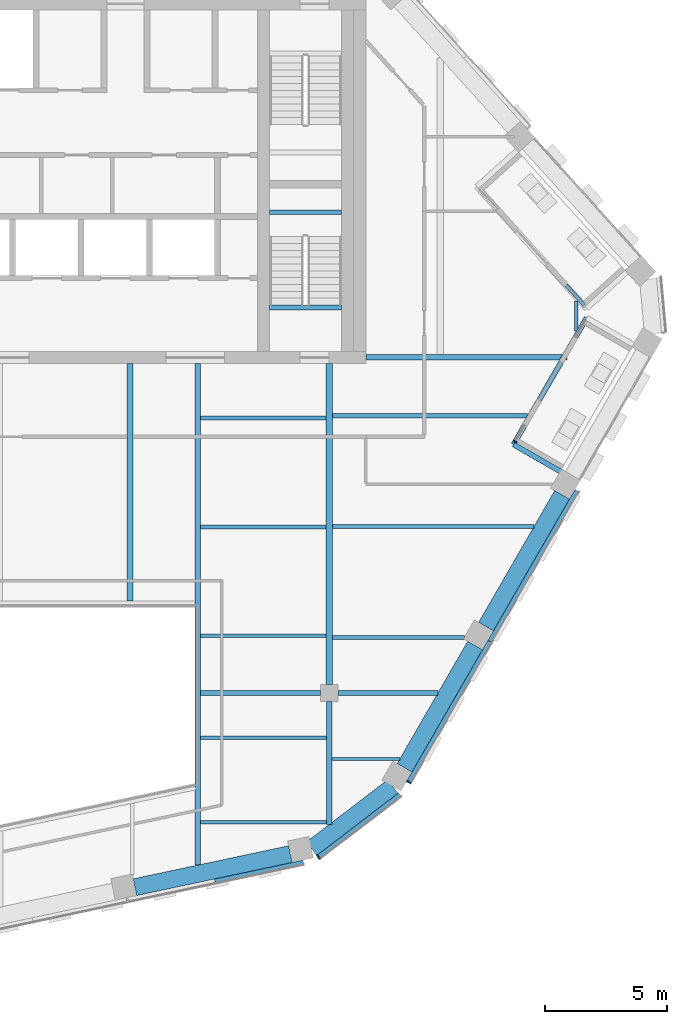
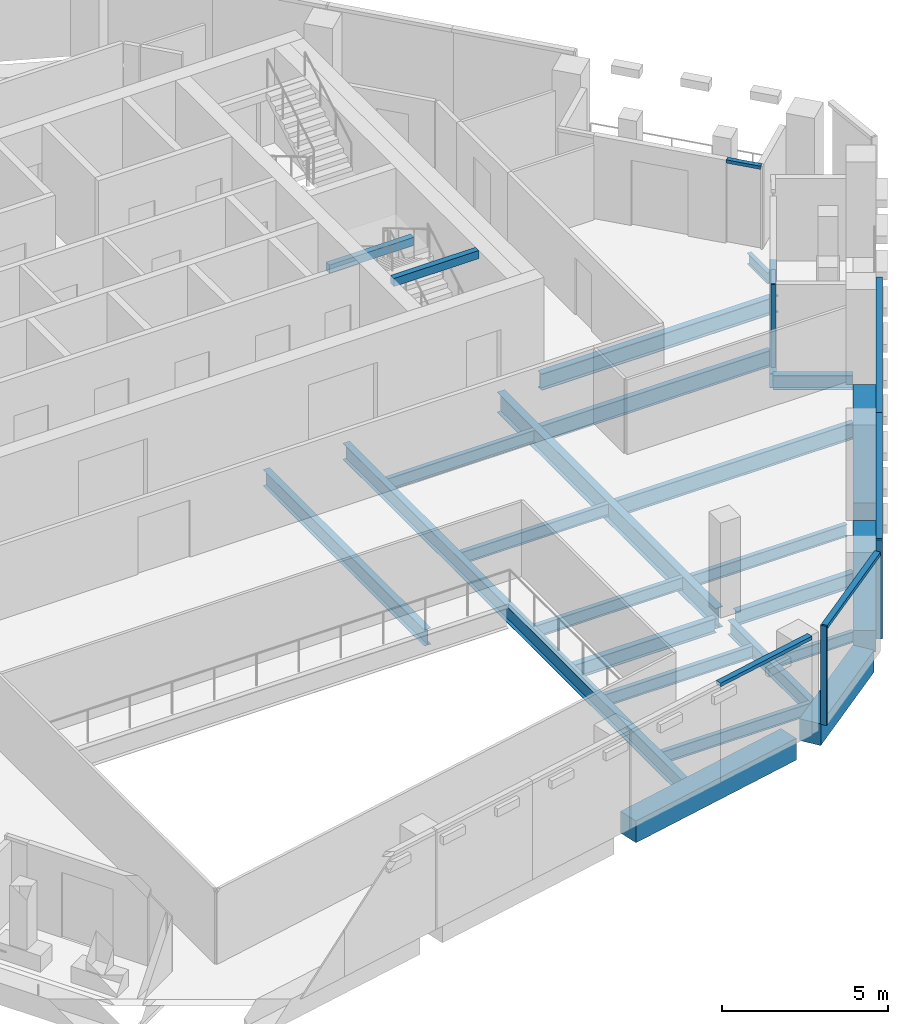
# One storey, part 5 of 22: 25 beams, 8 members, 5 elements without a shape of their own.
"""IFC4 building model written with IfcOpenShell, lengths in metres."""

import ifcopenshell
import ifcopenshell.guid

model = None  # the IFC model being written
_history = None  # IfcOwnerHistory: only IFC2X3 demands one
_inside = {}  # id of a spatial element -> (the spatial element, [elements in it])
_under = {}  # id of a project, library or spatial element -> (it, [spatial elements below it])
_declared = {}  # id of a project -> (the project, [libraries it declares])
_typed = {}  # id of a type object -> (the type object, [elements of that type])
_made_of = {}  # id of a material, layer set ... -> (it, [elements and type objects made of it])


def new_model(schema):
    """Start an empty IFC model of exactly this schema.

    Asked for "IFC4X3", IfcOpenShell would pick the latest addendum, in which some entities
    have other attributes; the version numbers below select the first issue.
    IFC2X3 requires an IfcOwnerHistory on every rooted entity: one is made here for all.
    """
    global model, _history
    if schema == "IFC4X3":
        model = ifcopenshell.file(schema_version=(4, 3, 0, 0))
    else:
        model = ifcopenshell.file(schema=schema)
    _inside.clear()
    _under.clear()
    _declared.clear()
    _typed.clear()
    _made_of.clear()
    _history = None
    if model.schema == "IFC2X3":
        org = make("IfcOrganization", Name="unknown")
        user = make(
            "IfcPersonAndOrganization",
            ThePerson=make("IfcPerson", FamilyName="unknown"),
            TheOrganization=org,
        )
        app = make(
            "IfcApplication",
            ApplicationDeveloper=org,
            Version="unknown",
            ApplicationFullName="unknown",
            ApplicationIdentifier="unknown",
        )
        _history = make(
            "IfcOwnerHistory",
            OwningUser=user,
            OwningApplication=app,
            ChangeAction="ADDED",
            CreationDate=0,
        )
    return model


def make(cls, **values):
    """One entity of the class cls with the attributes given. An attribute that is None is left unset."""
    return model.create_entity(
        cls, **{name: value for name, value in values.items() if value is not None}
    )


def rooted(cls, **values):
    """An entity with a GlobalId (a new one), such as an element, a storey or a relation."""
    return make(cls, GlobalId=ifcopenshell.guid.new(), OwnerHistory=_history, **values)


def si_unit(unit_type, name, prefix=None):
    """IfcSIUnit, for example si_unit("LENGTHUNIT", "METRE", prefix="MILLI")."""
    return make("IfcSIUnit", UnitType=unit_type, Prefix=prefix, Name=name)


def assignment(units):
    """IfcUnitAssignment: the units of a project."""
    return None if units is None else make("IfcUnitAssignment", Units=units)


def point(xyz):
    """IfcCartesianPoint."""
    return None if xyz is None else make("IfcCartesianPoint", Coordinates=xyz)


def direction(xyz):
    """IfcDirection."""
    return None if xyz is None else make("IfcDirection", DirectionRatios=xyz)


def frame(location, z_axis=None, x_axis=None):
    """IfcAxis2Placement3D, a coordinate frame: its origin and axes. An axis left out is left unset."""
    return make(
        "IfcAxis2Placement3D",
        Location=point(location),
        Axis=direction(z_axis),
        RefDirection=direction(x_axis),
    )


def frame_2d(location, x_axis=None):
    """IfcAxis2Placement2D, a coordinate frame in the plane: its origin and x axis."""
    return make(
        "IfcAxis2Placement2D", Location=point(location), RefDirection=direction(x_axis)
    )


def origin():
    """The frame at (0, 0, 0) with its axes left unset."""
    return frame((0.0, 0.0, 0.0))


def origin_2d():
    """The frame at (0, 0) in the plane with its x axis left unset."""
    return frame_2d((0.0, 0.0))


def place(relative_to, where):
    """IfcLocalPlacement: puts the frame where relative to a parent placement (None: the world)."""
    return make(
        "IfcLocalPlacement", PlacementRelTo=relative_to, RelativePlacement=where
    )


def context(
    kind, dimensions, precision=None, world=None, true_north=None, identifier=None
):
    """IfcGeometricRepresentationContext, for example the 3D "Model" context."""
    return make(
        "IfcGeometricRepresentationContext",
        ContextIdentifier=identifier,
        ContextType=kind,
        CoordinateSpaceDimension=dimensions,
        Precision=precision,
        WorldCoordinateSystem=world,
        TrueNorth=true_north,
    )


def subcontext(parent, identifier, kind, view, scale=None):
    """IfcGeometricRepresentationSubContext, for example "Body" below "Model"."""
    return make(
        "IfcGeometricRepresentationSubContext",
        ContextIdentifier=identifier,
        ContextType=kind,
        ParentContext=parent,
        TargetScale=scale,
        TargetView=view,
    )


def project(units=None, contexts=None):
    """IfcProject with its units and contexts."""
    return rooted(
        "IfcProject",
        Name="project",
        RepresentationContexts=contexts,
        UnitsInContext=assignment(units),
    )


def spatial(cls, under=None, at=None, **own):
    """A site, building, storey or space (cls), placed at a placement, below another one or the project."""
    s = rooted(cls, ObjectPlacement=at, **own)
    if under is not None:
        _under.setdefault(under.id(), (under, []))[1].append(s)
    return s


def profile(cls, at=None, kind="AREA", **sizes):
    """A parametric profile (cls). Its sizes go by their IFC names, for example OverallWidth=200.0."""
    return make(cls, ProfileType=kind, Position=at, **sizes)


def rectangle(**sizes):
    """IfcRectangleProfileDef."""
    return profile("IfcRectangleProfileDef", **sizes)


def i_section(**sizes):
    """IfcIShapeProfileDef."""
    return profile("IfcIShapeProfileDef", **sizes)


def extrude(swept, where, along, depth):
    """IfcExtrudedAreaSolid: the profile swept, set in the frame where, extruded along a direction by depth."""
    return make(
        "IfcExtrudedAreaSolid",
        SweptArea=swept,
        Position=where,
        ExtrudedDirection=direction(along),
        Depth=depth,
    )


def shape(context_of_items, identifier, shape_type, items):
    """IfcShapeRepresentation: the items that make up one representation, for example the "Body"."""
    return make(
        "IfcShapeRepresentation",
        ContextOfItems=context_of_items,
        RepresentationIdentifier=identifier,
        RepresentationType=shape_type,
        Items=items,
    )


def material(Name=None, Category=None):
    """IfcMaterial."""
    return make("IfcMaterial", Name=Name, Category=Category)


def layer(
    of_material, thickness, ventilated=None, Name=None, Category=None, Priority=None
):
    """IfcMaterialLayer: one layer of a wall or slab, of a material (None: an air gap)."""
    return make(
        "IfcMaterialLayer",
        Material=of_material,
        LayerThickness=thickness,
        IsVentilated=ventilated,
        Name=Name,
        Category=Category,
        Priority=Priority,
    )


def layer_set(layers, Name=None):
    """IfcMaterialLayerSet."""
    return make("IfcMaterialLayerSet", MaterialLayers=layers, LayerSetName=Name)


def material_profile(
    of_material, cross_section, Name=None, Category=None, Priority=None
):
    """IfcMaterialProfile: a cross section and its material."""
    return make(
        "IfcMaterialProfile",
        Name=Name,
        Material=of_material,
        Profile=cross_section,
        Priority=Priority,
        Category=Category,
    )


def profile_set(profiles, Name=None, composite=None):
    """IfcMaterialProfileSet."""
    return make(
        "IfcMaterialProfileSet",
        Name=Name,
        MaterialProfiles=profiles,
        CompositeProfile=composite,
    )


def made_of(thing, what):
    """Note that an element or type object is made of a material, layer set ...; save() writes the relation."""
    if what is not None:
        _made_of.setdefault(what.id(), (what, []))[1].append(thing)
    return thing


def type_object(cls, material=None, **own):
    """A type object (cls), such as IfcWallType, which elements share."""
    return made_of(rooted(cls, **own), material)


def element(
    cls,
    number,
    at=None,
    inside=None,
    cuts=None,
    type_object=None,
    material=None,
    context=None,
    identifier="Body",
    shape_type=None,
    held_by="IfcProductDefinitionShape",
    body=None,
    shapes=None,
    **own,
):
    """One element of the class cls, such as IfcWall. Its Tag is "e" and its number.

    at: its placement. inside: the storey or other place that contains it. cuts: it is an
    opening in that element (IfcRelVoidsElement). A single representation is given by context,
    identifier, shape_type and body (its items); several are given by shapes. held_by: the class
    of the entity that holds the representations. save() writes the other relations.
    """
    e = rooted(cls, Tag="e%d" % number, ObjectPlacement=at, **own)
    if body is not None:
        shapes = [shape(context, identifier, shape_type, body)]
    if shapes is not None:
        e.Representation = make(held_by, Representations=shapes)
    if inside is not None:
        _inside.setdefault(inside.id(), (inside, []))[1].append(e)
    if cuts is not None:
        rooted(
            "IfcRelVoidsElement", RelatingBuildingElement=cuts, RelatedOpeningElement=e
        )
    if type_object is not None:
        _typed.setdefault(type_object.id(), (type_object, []))[1].append(e)
    return made_of(e, material)


def aggregate(whole, parts):
    """IfcRelAggregates: a whole, such as a stair, and the parts it consists of."""
    return rooted("IfcRelAggregates", RelatingObject=whole, RelatedObjects=parts)


def save(model, path):
    """Write the relations noted so far, then the file.

    IfcRelAggregates (storeys below a building ...), IfcRelContainedInSpatialStructure (elements
    in a storey), IfcRelDefinesByType, IfcRelAssociatesMaterial and IfcRelDeclares: one each for
    every whole, place, type object, material and project.
    """
    for whole, parts in _under.values():
        aggregate(whole, parts)
    for where, things in _inside.values():
        rooted(
            "IfcRelContainedInSpatialStructure",
            RelatedElements=things,
            RelatingStructure=where,
        )
    for kind, things in _typed.values():
        rooted("IfcRelDefinesByType", RelatedObjects=things, RelatingType=kind)
    for what, things in _made_of.values():
        rooted("IfcRelAssociatesMaterial", RelatedObjects=things, RelatingMaterial=what)
    for by, libraries in _declared.values():
        rooted("IfcRelDeclares", RelatingContext=by, RelatedDefinitions=libraries)
    model.write(path)


model = new_model("IFC4")

# Units and contexts
model_context = context("Model", 3, precision=1e-05, world=origin(), true_north=direction((0.0, 1.0)))
body_context = subcontext(model_context, "Body", "Model", "MODEL_VIEW")
ifc_project = project(units=[si_unit("LENGTHUNIT", "METRE"), si_unit("AREAUNIT", "SQUARE_METRE"), si_unit("VOLUMEUNIT", "CUBIC_METRE"), si_unit("PLANEANGLEUNIT", "RADIAN"), si_unit("MASSUNIT", "GRAM", prefix="KILO")], contexts=[model_context])

# Site, building, storey
site_placement = place(None, origin())
site = spatial("IfcSite", under=ifc_project, at=site_placement, CompositionType="ELEMENT")
building_placement = place(site_placement, origin())
building = spatial("IfcBuilding", under=site, at=building_placement, Name="Isthmus Gate Tower", CompositionType="ELEMENT")
storey_placement = place(building_placement, frame((0.0, 0.0, 264.60009765625)))
storey = spatial("IfcBuildingStorey", under=building, at=storey_placement, Name="L67", CompositionType="ELEMENT", Elevation=264.60009765625)

# Curtain wall, member
ifc_material_1 = material(Name="Aluminium, pale champagne anodised", Category="aluminium")
ifc_layer_1 = layer(ifc_material_1, 0.199951171875)
ifc_layer_set_1 = layer_set([ifc_layer_1], Name="CW-1 UNITISED CURTAIN WALL 200 DEEP")
curtain_wall_type_1 = type_object("IfcCurtainWallType", Name="CW-1 UNITISED CURTAIN WALL 200 DEEP", PredefinedType="NOTDEFINED", material=ifc_layer_set_1)
curtain_wall_1_placement = place(storey_placement, origin())
curtain_wall_1 = element("IfcCurtainWall", 1, at=curtain_wall_1_placement, inside=storey, type_object=curtain_wall_type_1, Name="CW-1 S-SE L67", PredefinedType="NOTDEFINED")
ifc_material_2 = material(Name="Aluminium, pale champagne anodised", Category="aluminium")
ifc_material_profile_1 = material_profile(ifc_material_2, rectangle(XDim=0.06005859375, YDim=0.199951171875, at=origin_2d()), Name="60x200")
ifc_profile_set_1 = profile_set([ifc_material_profile_1], Name="Aluminium, pale champagne anodised")
member_type_1 = type_object("IfcMemberType", Name="CW-1 MULLION 60 X 200", PredefinedType="MULLION", material=ifc_profile_set_1)
member_1_placement = place(storey_placement, frame((13.055908203125, -20.241455078125, 0.0), z_axis=(0.0, 0.0, 1.0), x_axis=(0.794188594387, 0.607671355706, 0.0)))
member_1 = element("IfcMember", 2, at=member_1_placement, type_object=member_type_1, Name="CW-1 mullion", PredefinedType="MULLION", context=body_context, shape_type="SweptSolid", body=[
    extrude(rectangle(XDim=0.06005859375, YDim=0.199951171875, at=origin_2d()), origin(), (0.0, 0.0, 1.0), 3.64990234375),
])

curtain_wall_2_placement = place(storey_placement, origin())
curtain_wall_2 = element("IfcCurtainWall", 3, at=curtain_wall_2_placement, inside=storey, type_object=curtain_wall_type_1, Name="CW-1 SE L67", PredefinedType="NOTDEFINED")
member_2_placement = place(storey_placement, frame((16.765380859375, -17.161376953125, 0.0), z_axis=(0.0, 0.0, 1.0), x_axis=(0.5, 0.866025403784, 0.0)))
member_2 = element("IfcMember", 4, at=member_2_placement, type_object=member_type_1, Name="CW-1 mullion", PredefinedType="MULLION", context=body_context, shape_type="SweptSolid", body=[
    extrude(rectangle(XDim=0.06005859375, YDim=0.199951171875, at=origin_2d()), origin(), (0.0, 0.0, 1.0), 3.64990234375),
])

curtain_wall_3_placement = place(storey_placement, origin())
curtain_wall_3 = element("IfcCurtainWall", 5, at=curtain_wall_3_placement, inside=storey, type_object=curtain_wall_type_1, Name="CW-1 S L67", PredefinedType="NOTDEFINED")
ifc_material_3 = material(Name="Aluminium, pale champagne anodised", Category="aluminium")
ifc_material_profile_2 = material_profile(ifc_material_3, rectangle(XDim=0.199951171875, YDim=0.1298828125, at=origin_2d()), Name="200x130")
ifc_profile_set_2 = profile_set([ifc_material_profile_2], Name="Aluminium, pale champagne anodised")
member_type_2 = type_object("IfcMemberType", Name="CW-1 TRANSOM 200 X 130", PredefinedType="USERDEFINED", material=ifc_profile_set_2)
member_3_placement = place(storey_placement, frame((8.816162109375, -21.228271484375, 3.5849609375), z_axis=(0.978146451283, 0.207917098487, 0.0), x_axis=(-0.207917098487, 0.978146451283, 0.0)))
member_3 = element("IfcMember", 6, at=member_3_placement, type_object=member_type_2, Name="CW-1 transom", ObjectType="TRANSOM", PredefinedType="USERDEFINED", context=body_context, shape_type="SweptSolid", body=[
    extrude(rectangle(XDim=0.199951171875, YDim=0.1298828125, at=origin_2d()), origin(), (0.0, 0.0, 1.0), 3.70361328125),
])
aggregate(curtain_wall_3, [member_3])

# Member
member_4_placement = place(storey_placement, frame((13.07958984375, -20.22314453125, 3.5849609375), z_axis=(0.794225234414, 0.607623466482, 0.0), x_axis=(-0.607623466482, 0.794225234414, 0.0)))
member_4 = element("IfcMember", 7, at=member_4_placement, type_object=member_type_2, Name="CW-1 transom", ObjectType="TRANSOM", PredefinedType="USERDEFINED", context=body_context, shape_type="SweptSolid", body=[
    extrude(rectangle(XDim=0.199951171875, YDim=0.1298828125, at=origin_2d()), origin(), (0.0, 0.0, 1.0), 4.181396484375),
])

aggregate(curtain_wall_1, [member_1, member_4])

member_5_placement = place(storey_placement, frame((16.780517578125, -17.135498046875, 3.5849609375), z_axis=(0.49999574405, 0.866027860944, 0.0), x_axis=(-0.866027860944, 0.49999574405, 0.0)))
member_5 = element("IfcMember", 8, at=member_5_placement, type_object=member_type_2, Name="CW-1 transom", ObjectType="TRANSOM", PredefinedType="USERDEFINED", context=body_context, shape_type="SweptSolid", body=[
    extrude(rectangle(XDim=0.199951171875, YDim=0.1298828125, at=origin_2d()), origin(), (0.0, 0.0, 1.0), 6.62451171875),
])

member_6_placement = place(storey_placement, frame((20.0927734375, -11.3984375, 3.5849609375), z_axis=(0.499985098601, 0.86603400694, 0.0), x_axis=(-0.86603400694, 0.499985098601, 0.0)))
member_6 = element("IfcMember", 9, at=member_6_placement, type_object=member_type_2, Name="CW-1 transom", ObjectType="TRANSOM", PredefinedType="USERDEFINED", context=body_context, shape_type="SweptSolid", body=[
    extrude(rectangle(XDim=0.199951171875, YDim=0.1298828125, at=origin_2d()), origin(), (0.0, 0.0, 1.0), 7.134521484375),
])

aggregate(curtain_wall_2, [member_2, member_5, member_6])

# Curtain wall, member
ifc_material_4 = material(Name="Aluminium, pale champagne anodised", Category="aluminium")
ifc_layer_2 = layer(ifc_material_4, 0.14990234375)
ifc_layer_set_2 = layer_set([ifc_layer_2], Name="CW-6 LOGGIA BACK WALL GLAZING 150 DEEP")
curtain_wall_type_2 = type_object("IfcCurtainWallType", Name="CW-6 LOGGIA BACK WALL GLAZING 150 DEEP", PredefinedType="NOTDEFINED", material=ifc_layer_set_2)
curtain_wall_4_placement = place(storey_placement, origin())
curtain_wall_4 = element("IfcCurtainWall", 10, at=curtain_wall_4_placement, inside=storey, type_object=curtain_wall_type_2, Name="CW-6 SE L67", PredefinedType="NOTDEFINED")
ifc_material_5 = material(Name="Aluminium, pale champagne anodised", Category="aluminium")
ifc_material_profile_3 = material_profile(ifc_material_5, rectangle(XDim=0.06005859375, YDim=0.14990234375, at=origin_2d()), Name="60x150")
ifc_profile_set_3 = profile_set([ifc_material_profile_3], Name="Aluminium, pale champagne anodised")
member_type_3 = type_object("IfcMemberType", Name="CW-6 MULLION 60 X 150", PredefinedType="MULLION", material=ifc_profile_set_3)
member_7_placement = place(storey_placement, frame((21.128662109375, -3.2041015625, 0.0), z_axis=(0.0, 0.0, 1.0), x_axis=(0.5, 0.866025403784, 0.0)))
member_7 = element("IfcMember", 11, at=member_7_placement, type_object=member_type_3, Name="CW-6 mullion", PredefinedType="MULLION", context=body_context, shape_type="SweptSolid", body=[
    extrude(rectangle(XDim=0.06005859375, YDim=0.14990234375, at=origin_2d()), origin(), (0.0, 0.0, 1.0), 3.0498046875),
])
aggregate(curtain_wall_4, [member_7])

curtain_wall_5_placement = place(storey_placement, origin())
curtain_wall_5 = element("IfcCurtainWall", 12, at=curtain_wall_5_placement, inside=storey, type_object=curtain_wall_type_2, Name="CW-6 NE L67", PredefinedType="NOTDEFINED")
ifc_material_6 = material(Name="Aluminium, pale champagne anodised", Category="aluminium")
ifc_material_profile_4 = material_profile(ifc_material_6, rectangle(XDim=0.14990234375, YDim=0.1201171875, at=origin_2d()), Name="150x120")
ifc_profile_set_4 = profile_set([ifc_material_profile_4], Name="Aluminium, pale champagne anodised")
member_type_4 = type_object("IfcMemberType", Name="CW-6 TRANSOM 150 X 120", PredefinedType="USERDEFINED", material=ifc_profile_set_4)
member_8_placement = place(storey_placement, frame((23.9482421875, 2.3916015625, 2.989990234375), z_axis=(-0.6690757317, 0.743194231174, 0.0), x_axis=(-0.743194231174, -0.6690757317, 0.0)))
member_8 = element("IfcMember", 13, at=member_8_placement, type_object=member_type_4, Name="CW-6 transom", ObjectType="TRANSOM", PredefinedType="USERDEFINED", context=body_context, shape_type="SweptSolid", body=[
    extrude(rectangle(XDim=0.14990234375, YDim=0.1201171875, at=origin_2d()), origin(), (0.0, 0.0, 1.0), 1.093505859375),
])
aggregate(curtain_wall_5, [member_8])

# Beams
ifc_material_7 = material(Name="Concrete f'c 50 MPa", Category="concrete")
ifc_material_profile_5 = material_profile(ifc_material_7, rectangle(XDim=0.699951171875, YDim=0.800048828125, at=origin_2d()), Name="RC 700X800")
ifc_profile_set_5 = profile_set([ifc_material_profile_5], Name="Concrete f'c 50 MPa")
beam_type_1 = type_object("IfcBeamType", Name="RC SPANDREL 700 X 800", PredefinedType="SPANDREL", material=ifc_profile_set_5)
beam_1_placement = place(storey_placement, frame((23.045166015625, -5.384521484375, -0.400146484375), z_axis=(-0.499997027648, -0.866027119866, 0.0), x_axis=(0.866027119866, -0.499997027648, 0.0)))
element("IfcBeam", 14, at=beam_1_placement, inside=storey, type_object=beam_type_1, Name="str-spandrel-L67-06", PredefinedType="SPANDREL", context=body_context, shape_type="SweptSolid", body=[
    extrude(rectangle(XDim=0.699951171875, YDim=0.800048828125, at=origin_2d()), origin(), (0.0, 0.0, 1.0), 6.234375),
])
beam_2_placement = place(storey_placement, frame((19.47802734375, -11.56298828125, -0.400146484375), z_axis=(-0.499992798144, -0.866029561738, 0.0), x_axis=(0.866029561738, -0.499992798144, 0.0)))
element("IfcBeam", 15, at=beam_2_placement, inside=storey, type_object=beam_type_1, Name="str-spandrel-L67-07", PredefinedType="SPANDREL", context=body_context, shape_type="SweptSolid", body=[
    extrude(rectangle(XDim=0.699951171875, YDim=0.800048828125, at=origin_2d()), origin(), (0.0, 0.0, 1.0), 5.78466796875),
])
beam_3_placement = place(storey_placement, frame((16.110595703125, -17.337646484375, -0.400146484375), z_axis=(-0.794204252251, -0.607650891307, 0.0), x_axis=(0.607650891307, -0.794204252251, 0.0)))
element("IfcBeam", 16, at=beam_3_placement, inside=storey, type_object=beam_type_1, Name="str-spandrel-L67-08", PredefinedType="SPANDREL", context=body_context, shape_type="SweptSolid", body=[
    extrude(rectangle(XDim=0.699951171875, YDim=0.800048828125, at=origin_2d()), origin(), (0.0, 0.0, 1.0), 4.197021484375),
])
beam_4_placement = place(storey_placement, frame((11.90478515625, -20.11181640625, -0.400146484375), z_axis=(-0.978148646173, -0.207906772352, 0.0), x_axis=(0.207906772352, -0.978148646173, 0.0)))
element("IfcBeam", 17, at=beam_4_placement, inside=storey, type_object=beam_type_1, Name="str-spandrel-L67-09", PredefinedType="SPANDREL", context=body_context, shape_type="SweptSolid", body=[
    extrude(rectangle(XDim=0.699951171875, YDim=0.800048828125, at=origin_2d()), origin(), (0.0, 0.0, 1.0), 6.506591796875),
])
ifc_material_8 = material(Name="Concrete f'c 40 MPa", Category="concrete")
ifc_material_profile_6 = material_profile(ifc_material_8, rectangle(XDim=0.199951171875, YDim=0.300048828125, at=origin_2d()), Name="STAIR LANDING BEAM RC 200 X 300")
ifc_profile_set_6 = profile_set([ifc_material_profile_6], Name="Concrete f'c 40 MPa")
beam_type_2 = type_object("IfcBeamType", Name="STAIR LANDING BEAM RC 200 X 300", PredefinedType="BEAM", material=ifc_profile_set_6)
for number, where, z_axis, x_axis, name in (
    (18, (11.050048828125, 6.199951171875, 1.474853515625), (1.0, 0.0, 0.0), (0.0, 1.0, 0.0), "L67 ST8 landing beam 1"),
    (19, (11.050048828125, 2.2998046875, 3.349853515625), (1.0, 0.0, 0.0), (0.0, 1.0, 0.0), "L67 ST8 floor-edge seat beam"),
):
    element("IfcBeam", number, at=place(storey_placement, frame(where, z_axis=z_axis, x_axis=x_axis)), inside=storey, type_object=beam_type_2, Name=name, PredefinedType="BEAM", context=body_context, shape_type="SweptSolid", body=[
        extrude(rectangle(XDim=0.199951171875, YDim=0.300048828125, at=origin_2d()), origin(), (0.0, 0.0, 1.0), 2.949951171875),
    ])
ifc_material_9 = material(Name="Structural steel ASTM A992 Gr 50", Category="steel")
ifc_material_profile_7 = material_profile(ifc_material_9, i_section(OverallWidth=0.1396484375, OverallDepth=0.4033203125, WebThickness=0.00634765625, FlangeThickness=0.010986328125, at=origin_2d()), Name="W16X31")
ifc_profile_set_7 = profile_set([ifc_material_profile_7], Name="Structural steel ASTM A992 Gr 50")
beam_type_3 = type_object("IfcBeamType", Name="STEEL FLOOR BEAM W16X31", PredefinedType="JOIST", material=ifc_profile_set_7)
beam_5_placement = place(storey_placement, frame((23.61865234375, 1.32763671875, -0.351806640625), z_axis=(0.0, 1.0, 0.0), x_axis=(-1.0, 0.0, 0.0)))
element("IfcBeam", 20, at=beam_5_placement, inside=storey, type_object=beam_type_3, Name="str-beam-L67-11-07", PredefinedType="JOIST", context=body_context, shape_type="SweptSolid", body=[
    extrude(i_section(OverallWidth=0.1396484375, OverallDepth=0.4033203125, WebThickness=0.00634765625, FlangeThickness=0.010986328125, at=origin_2d()), origin(), (0.0, 0.0, 1.0), 1.238037109375),
])
beam_6_placement = place(storey_placement, frame((13.604736328125, -16.20947265625, -0.351806640625), z_axis=(1.0, 0.0, 0.0), x_axis=(0.0, 1.0, 0.0)))
element("IfcBeam", 21, at=beam_6_placement, inside=storey, type_object=beam_type_3, Name="str-beam-L67-15-00", PredefinedType="JOIST", context=body_context, shape_type="SweptSolid", body=[
    extrude(i_section(OverallWidth=0.1396484375, OverallDepth=0.4033203125, WebThickness=0.00634765625, FlangeThickness=0.010986328125, at=origin_2d()), origin(), (0.0, 0.0, 1.0), 2.78662109375),
])
ifc_material_10 = material(Name="Structural steel ASTM A992 Gr 50", Category="steel")
ifc_material_profile_8 = material_profile(ifc_material_10, i_section(OverallWidth=0.15234375, OverallDepth=0.45068359375, WebThickness=0.0078125, FlangeThickness=0.010986328125, at=origin_2d()), Name="W18X35")
ifc_profile_set_8 = profile_set([ifc_material_profile_8], Name="Structural steel ASTM A992 Gr 50")
beam_type_4 = type_object("IfcBeamType", Name="STEEL FLOOR BEAM W18X35", PredefinedType="JOIST", material=ifc_profile_set_8)
for number, where, z_axis, x_axis, name in (
    (22, (8.228515625, -18.802734375, -0.37548828125), (1.0, 0.0, 0.0), (0.0, 1.0, 0.0), "str-beam-L67-13-00"),
    (23, (8.228515625, -15.33740234375, -0.37548828125), (1.0, 0.0, 0.0), (0.0, 1.0, 0.0), "str-beam-L67-13-01"),
):
    element("IfcBeam", number, at=place(storey_placement, frame(where, z_axis=z_axis, x_axis=x_axis)), inside=storey, type_object=beam_type_4, Name=name, PredefinedType="JOIST", context=body_context, shape_type="SweptSolid", body=[
        extrude(i_section(OverallWidth=0.15234375, OverallDepth=0.45068359375, WebThickness=0.0078125, FlangeThickness=0.010986328125, at=origin_2d()), origin(), (0.0, 0.0, 1.0), 5.166748046875),
    ])
for number, where, z_axis, x_axis, name in (
    (24, (8.228515625, -11.16259765625, -0.37548828125), (1.0, 0.0, 0.0), (0.0, 1.0, 0.0), "str-beam-L67-14-00"),
    (25, (8.228515625, -6.697509765625, -0.37548828125), (1.0, 0.0, 0.0), (0.0, 1.0, 0.0), "str-beam-L67-14-01"),
    (26, (8.228515625, -2.232421875, -0.37548828125), (1.0, 0.0, 0.0), (0.0, 1.0, 0.0), "str-beam-L67-14-02"),
):
    element("IfcBeam", number, at=place(storey_placement, frame(where, z_axis=z_axis, x_axis=x_axis)), inside=storey, type_object=beam_type_4, Name=name, PredefinedType="JOIST", context=body_context, shape_type="SweptSolid", body=[
        extrude(i_section(OverallWidth=0.15234375, OverallDepth=0.45068359375, WebThickness=0.0078125, FlangeThickness=0.010986328125, at=origin_2d()), origin(), (0.0, 0.0, 1.0), 5.1396484375),
    ])
beam_7_placement = place(storey_placement, frame((13.6318359375, -11.227294921875, -0.37548828125), z_axis=(1.0, 0.0, 0.0), x_axis=(0.0, 1.0, 0.0)))
element("IfcBeam", 27, at=beam_7_placement, inside=storey, type_object=beam_type_4, Name="str-beam-L67-16-00", PredefinedType="JOIST", context=body_context, shape_type="SweptSolid", body=[
    extrude(i_section(OverallWidth=0.15234375, OverallDepth=0.45068359375, WebThickness=0.0078125, FlangeThickness=0.010986328125, at=origin_2d()), origin(), (0.0, 0.0, 1.0), 5.405029296875),
])
ifc_material_11 = material(Name="Structural steel ASTM A992 Gr 50", Category="steel")
ifc_material_profile_9 = material_profile(ifc_material_11, i_section(OverallWidth=0.177734375, OverallDepth=0.60009765625, WebThickness=0.009521484375, FlangeThickness=0.0126953125, at=origin_2d()), Name="W24X55")
ifc_profile_set_9 = profile_set([ifc_material_profile_9], Name="Structural steel ASTM A992 Gr 50")
beam_type_5 = type_object("IfcBeamType", Name="STEEL FLOOR BEAM W24X55", PredefinedType="JOIST", material=ifc_profile_set_9)
beam_8_placement = place(storey_placement, frame((13.6318359375, -6.68212890625, -0.4501953125), z_axis=(1.0, 0.0, 0.0), x_axis=(0.0, 1.0, 0.0)))
element("IfcBeam", 28, at=beam_8_placement, inside=storey, type_object=beam_type_5, Name="str-beam-L67-16-01", PredefinedType="JOIST", context=body_context, shape_type="SweptSolid", body=[
    extrude(i_section(OverallWidth=0.177734375, OverallDepth=0.60009765625, WebThickness=0.009521484375, FlangeThickness=0.0126953125, at=origin_2d()), origin(), (0.0, 0.0, 1.0), 8.260009765625),
])
beam_9_placement = place(storey_placement, frame((13.6318359375, -2.136962890625, -0.4501953125), z_axis=(1.0, 0.0, 0.0), x_axis=(0.0, 1.0, 0.0)))
element("IfcBeam", 29, at=beam_9_placement, inside=storey, type_object=beam_type_5, Name="str-beam-L67-16-02", PredefinedType="JOIST", context=body_context, shape_type="SweptSolid", body=[
    extrude(i_section(OverallWidth=0.177734375, OverallDepth=0.60009765625, WebThickness=0.009521484375, FlangeThickness=0.0126953125, at=origin_2d()), origin(), (0.0, 0.0, 1.0), 7.986572265625),
])
ifc_material_12 = material(Name="Structural steel ASTM A992 Gr 50", Category="steel")
ifc_material_profile_10 = material_profile(ifc_material_12, i_section(OverallWidth=0.228515625, OverallDepth=0.603271484375, WebThickness=0.010986328125, FlangeThickness=0.014404296875, at=origin_2d()), Name="W24X68")
ifc_profile_set_10 = profile_set([ifc_material_profile_10], Name="Structural steel ASTM A992 Gr 50")
beam_type_6 = type_object("IfcBeamType", Name="STEEL FLOOR BEAM W24X68", PredefinedType="JOIST", material=ifc_profile_set_10)
beam_10_placement = place(storey_placement, frame((5.333251953125, -9.7333984375, -0.45166015625), z_axis=(0.0, 1.0, 0.0), x_axis=(-1.0, 0.0, 0.0)))
element("IfcBeam", 30, at=beam_10_placement, inside=storey, type_object=beam_type_6, Name="str-beam-L67-08-02", PredefinedType="JOIST", context=body_context, shape_type="SweptSolid", body=[
    extrude(i_section(OverallWidth=0.228515625, OverallDepth=0.603271484375, WebThickness=0.010986328125, FlangeThickness=0.014404296875, at=origin_2d()), origin(), (0.0, 0.0, 1.0), 9.7333984375),
])
ifc_material_13 = material(Name="Structural steel ASTM A992 Gr 50", Category="steel")
ifc_material_profile_11 = material_profile(ifc_material_13, i_section(OverallWidth=0.20947265625, OverallDepth=0.533447265625, WebThickness=0.009521484375, FlangeThickness=0.015869140625, at=origin_2d()), Name="W21X62")
ifc_profile_set_11 = profile_set([ifc_material_profile_11], Name="Structural steel ASTM A992 Gr 50")
beam_type_7 = type_object("IfcBeamType", Name="STEEL GIRDER W21X62", PredefinedType="BEAM", material=ifc_profile_set_11)
beam_11_placement = place(storey_placement, frame((8.228515625, -13.5, -0.416748046875), z_axis=(1.0, 0.0, 0.0), x_axis=(0.0, 1.0, 0.0)))
element("IfcBeam", 31, at=beam_11_placement, inside=storey, type_object=beam_type_7, Name="str-girder-L67-03", PredefinedType="BEAM", context=body_context, shape_type="SweptSolid", body=[
    extrude(i_section(OverallWidth=0.20947265625, OverallDepth=0.533447265625, WebThickness=0.009521484375, FlangeThickness=0.015869140625, at=origin_2d()), origin(), (0.0, 0.0, 1.0), 4.92138671875),
])
beam_12_placement = place(storey_placement, frame((13.85009765625, -13.5, -0.416748046875), z_axis=(1.0, 0.0, 0.0), x_axis=(0.0, 1.0, 0.0)))
element("IfcBeam", 32, at=beam_12_placement, inside=storey, type_object=beam_type_7, Name="str-girder-L67-04", PredefinedType="BEAM", context=body_context, shape_type="SweptSolid", body=[
    extrude(i_section(OverallWidth=0.20947265625, OverallDepth=0.533447265625, WebThickness=0.009521484375, FlangeThickness=0.015869140625, at=origin_2d()), origin(), (0.0, 0.0, 1.0), 4.10546875),
])
beam_13_placement = place(storey_placement, frame((13.5, -18.894287109375, -0.416748046875), z_axis=(0.0, 1.0, 0.0), x_axis=(-1.0, 0.0, 0.0)))
element("IfcBeam", 33, at=beam_13_placement, inside=storey, type_object=beam_type_7, Name="str-girder-L67-07", PredefinedType="BEAM", context=body_context, shape_type="SweptSolid", body=[
    extrude(i_section(OverallWidth=0.20947265625, OverallDepth=0.533447265625, WebThickness=0.009521484375, FlangeThickness=0.015869140625, at=origin_2d()), origin(), (0.0, 0.0, 1.0), 5.044189453125),
])
ifc_material_14 = material(Name="Structural steel ASTM A992 Gr 50", Category="steel")
ifc_material_profile_12 = material_profile(ifc_material_14, i_section(OverallWidth=0.228515625, OverallDepth=0.6064453125, WebThickness=0.010986328125, FlangeThickness=0.017578125, at=origin_2d()), Name="W24X76")
ifc_profile_set_12 = profile_set([ifc_material_profile_12], Name="Structural steel ASTM A992 Gr 50")
beam_type_8 = type_object("IfcBeamType", Name="STEEL GIRDER W24X76", PredefinedType="BEAM", material=ifc_profile_set_12)
beam_14_placement = place(storey_placement, frame((15.0, 0.25, -0.453369140625), z_axis=(1.0, 0.0, 0.0), x_axis=(0.0, 1.0, 0.0)))
element("IfcBeam", 34, at=beam_14_placement, inside=storey, type_object=beam_type_8, Name="str-girder-L67-10", PredefinedType="BEAM", context=body_context, shape_type="SweptSolid", body=[
    extrude(i_section(OverallWidth=0.228515625, OverallDepth=0.6064453125, WebThickness=0.010986328125, FlangeThickness=0.017578125, at=origin_2d()), origin(), (0.0, 0.0, 1.0), 8.23828125),
])
ifc_material_15 = material(Name="Structural steel ASTM A992 Gr 50", Category="steel")
ifc_material_profile_13 = material_profile(ifc_material_15, i_section(OverallWidth=0.263427734375, OverallDepth=0.749267578125, WebThickness=0.0126953125, FlangeThickness=0.015869140625, at=origin_2d()), Name="W30X90")
ifc_profile_set_13 = profile_set([ifc_material_profile_13], Name="Structural steel ASTM A992 Gr 50")
beam_type_9 = type_object("IfcBeamType", Name="STEEL GIRDER W30X90", PredefinedType="BEAM", material=ifc_profile_set_13)
beam_15_placement = place(storey_placement, frame((13.5, -13.14990234375, -0.524658203125), z_axis=(0.0, 1.0, 0.0), x_axis=(-1.0, 0.0, 0.0)))
element("IfcBeam", 35, at=beam_15_placement, inside=storey, type_object=beam_type_9, Name="str-girder-L67-08", PredefinedType="BEAM", context=body_context, shape_type="SweptSolid", body=[
    extrude(i_section(OverallWidth=0.263427734375, OverallDepth=0.749267578125, WebThickness=0.0126953125, FlangeThickness=0.015869140625, at=origin_2d()), origin(), (0.0, 0.0, 1.0), 13.14990234375),
])
ifc_material_16 = material(Name="Structural steel ASTM A992 Gr 50", Category="steel")
ifc_material_profile_14 = material_profile(ifc_material_16, i_section(OverallWidth=0.20947265625, OverallDepth=0.533447265625, WebThickness=0.009521484375, FlangeThickness=0.015869140625, at=origin_2d()), Name="W21X62")
ifc_profile_set_14 = profile_set([ifc_material_profile_14], Name="Structural steel ASTM A992 Gr 50")
beam_type_10 = type_object("IfcBeamType", Name="STEEL TRIMMER W21X62", PredefinedType="BEAM", material=ifc_profile_set_14)
beam_16_placement = place(storey_placement, frame((21.05712890625, -3.318359375, -0.416748046875), z_axis=(0.500011564754, 0.866018726768, 0.0), x_axis=(-0.866018726768, 0.500011564754, 0.0)))
element("IfcBeam", 36, at=beam_16_placement, inside=storey, type_object=beam_type_10, Name="str-loggiatrim-L67-04-B", PredefinedType="BEAM", context=body_context, shape_type="SweptSolid", body=[
    extrude(i_section(OverallWidth=0.20947265625, OverallDepth=0.533447265625, WebThickness=0.009521484375, FlangeThickness=0.015869140625, at=origin_2d()), origin(), (0.0, 0.0, 1.0), 5.993896484375),
])
beam_17_placement = place(storey_placement, frame((23.139892578125, -4.520751953125, -0.416748046875), z_axis=(-0.866041894065, 0.499971436909, 0.0), x_axis=(-0.499971436909, -0.866041894065, 0.0)))
element("IfcBeam", 37, at=beam_17_placement, inside=storey, type_object=beam_type_10, Name="str-loggiatrim-L67-04-A", PredefinedType="BEAM", context=body_context, shape_type="SweptSolid", body=[
    extrude(i_section(OverallWidth=0.20947265625, OverallDepth=0.533447265625, WebThickness=0.009521484375, FlangeThickness=0.015869140625, at=origin_2d()), origin(), (0.0, 0.0, 1.0), 2.405029296875),
])
ifc_material_17 = material(Name="Structural steel ASTM A992 Gr 50", Category="steel")
ifc_material_profile_15 = material_profile(ifc_material_17, i_section(OverallWidth=0.228515625, OverallDepth=0.603271484375, WebThickness=0.010986328125, FlangeThickness=0.014404296875, at=origin_2d()), Name="W24X68")
ifc_profile_set_15 = profile_set([ifc_material_profile_15], Name="Structural steel ASTM A992 Gr 50")
beam_type_11 = type_object("IfcBeamType", Name="STEEL TRIMMER W24X68", PredefinedType="BEAM", material=ifc_profile_set_15)
beam_18_placement = place(storey_placement, frame((8.1142578125, -20.5595703125, -0.45166015625), z_axis=(0.0, 1.0, 0.0), x_axis=(-1.0, 0.0, 0.0)))
element("IfcBeam", 38, at=beam_18_placement, inside=storey, type_object=beam_type_11, Name="str-trimmer-L67-01", PredefinedType="BEAM", context=body_context, shape_type="SweptSolid", body=[
    extrude(i_section(OverallWidth=0.228515625, OverallDepth=0.603271484375, WebThickness=0.010986328125, FlangeThickness=0.014404296875, at=origin_2d()), origin(), (0.0, 0.0, 1.0), 20.5595703125),
])

save(model, "model.ifc")
